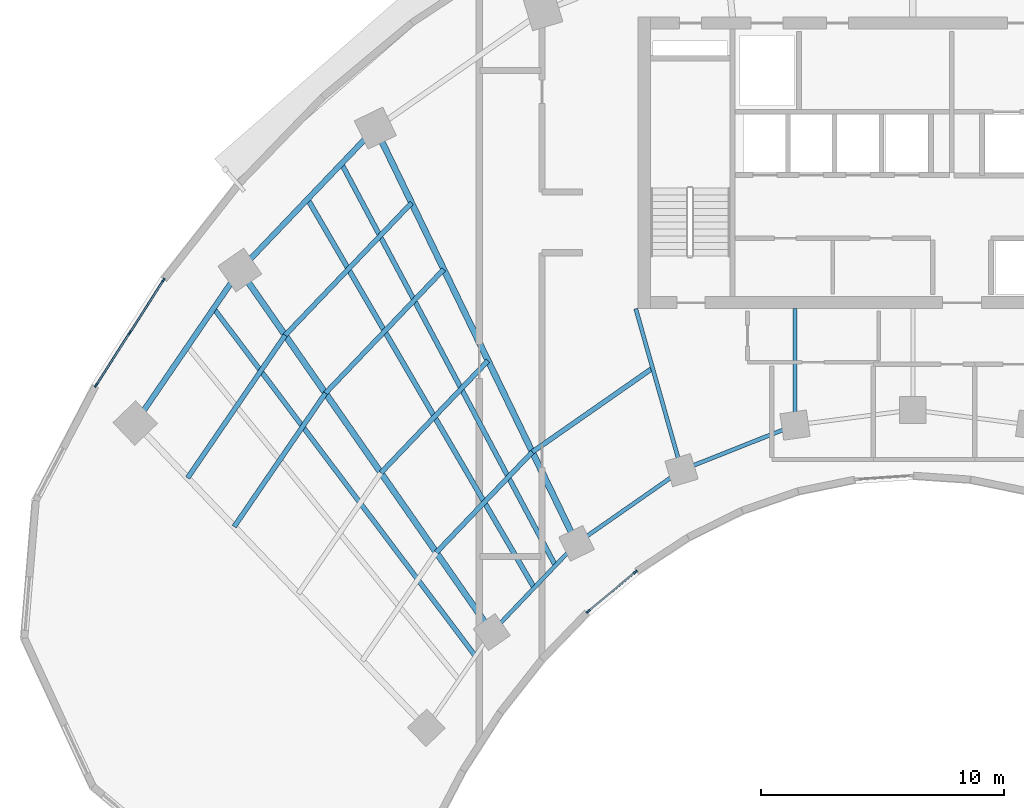
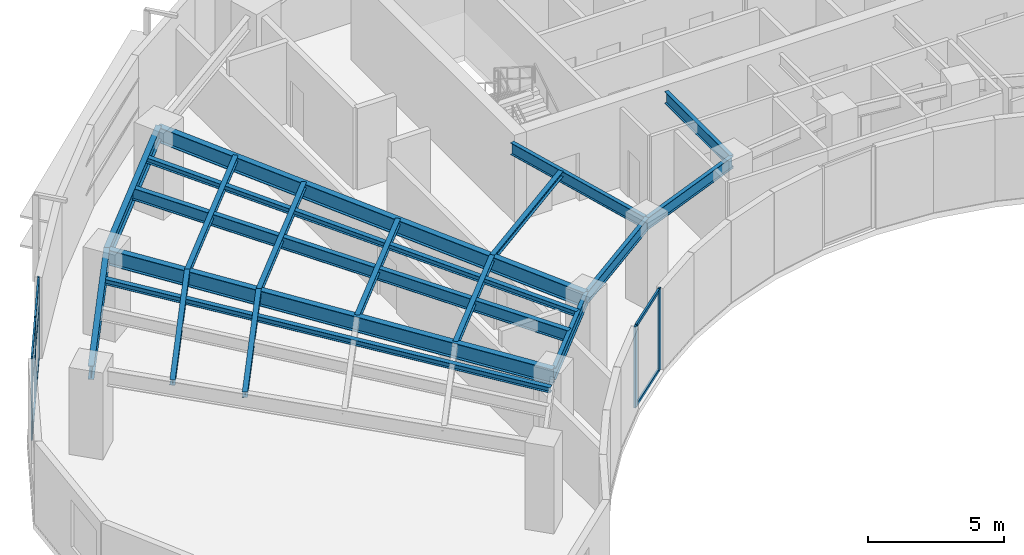
# One storey, part 2 of 14: 19 beams, 13 members, 2 elements without a shape of their own.
"""IFC4 building model written with IfcOpenShell, lengths in metres."""

from ifc_helpers import new_model, si_unit, direction, frame, origin, origin_2d, place, context, subcontext, project, spatial, rectangle, i_section, extrude, source, transform, mapped, material, layer, layer_set, material_profile, profile_set, type_object, type_shapes, element, aggregate, save


model = new_model("IFC4")

# Units and contexts
model_context = context("Model", 3, precision=1e-05, world=origin(), true_north=direction((0.0, 1.0)))
body_context = subcontext(model_context, "Body", "Model", "MODEL_VIEW")
ifc_project = project(units=[si_unit("LENGTHUNIT", "METRE"), si_unit("AREAUNIT", "SQUARE_METRE"), si_unit("VOLUMEUNIT", "CUBIC_METRE"), si_unit("PLANEANGLEUNIT", "RADIAN"), si_unit("MASSUNIT", "GRAM", prefix="KILO")], contexts=[model_context])

# Site, building, storey
site_placement = place(None, origin())
site = spatial("IfcSite", under=ifc_project, at=site_placement, CompositionType="ELEMENT")
building_placement = place(site_placement, origin())
building = spatial("IfcBuilding", under=site, at=building_placement, Name="Breltana Convention Tower", CompositionType="ELEMENT")
storey_placement = place(building_placement, frame((0.0, 0.0, 119.39990234375)))
storey = spatial("IfcBuildingStorey", under=building, at=storey_placement, Name="L28", CompositionType="ELEMENT", Elevation=119.39990234375)

# Beams
ifc_material_1 = material(Name="Steel ASTM A992 Grade 50", Category="steel")
ifc_material_profile_1 = material_profile(ifc_material_1, i_section(OverallWidth=0.25390625, OverallDepth=0.68798828125, WebThickness=0.01318359375, FlangeThickness=0.02099609375, at=origin_2d()), Name="W27X102")
ifc_profile_set_1 = profile_set([ifc_material_profile_1], Name="Steel ASTM A992 Grade 50")
beam_type_1 = type_object("IfcBeamType", Name="BM-RG-W27X102", PredefinedType="USERDEFINED", material=ifc_profile_set_1)
shared_shape_1 = source(origin(), body_context, "Body", "SweptSolid", [
    extrude(i_section(OverallWidth=0.25390625, OverallDepth=0.68798828125, WebThickness=0.01318359375, FlangeThickness=0.02099609375, at=origin_2d()), origin(), (0.0, 0.0, 1.0), 18.1484375),
])
beam_1_placement = place(storey_placement, frame((30.67724609375, 46.892333984375, 3.30615234375), z_axis=(-0.571207556098, 0.820805657788, 0.0), x_axis=(-0.820805657788, -0.571207556098, 0.0)))
element("IfcBeam", 1, at=beam_1_placement, inside=storey, type_object=beam_type_1, Name="L28 Radial Floor Girder R02", ObjectType="GIRDER", PredefinedType="USERDEFINED", context=body_context, shape_type="MappedRepresentation", body=[
    mapped(shared_shape_1, transform((0.0, 0.0, 0.0), scale=1.0)),
])
shared_shape_2 = source(origin(), body_context, "Body", "SweptSolid", [
    extrude(i_section(OverallWidth=0.25390625, OverallDepth=0.68798828125, WebThickness=0.01318359375, FlangeThickness=0.02099609375, at=origin_2d()), origin(), (0.0, 0.0, 1.0), 18.982421875),
])
beam_2_placement = place(storey_placement, frame((34.166259765625, 50.544921875, 3.30615234375), z_axis=(-0.436118560343, 0.89988921614, 0.0), x_axis=(-0.89988921614, -0.436118560343, 0.0)))
element("IfcBeam", 2, at=beam_2_placement, inside=storey, type_object=beam_type_1, Name="L28 Radial Floor Girder R03", ObjectType="GIRDER", PredefinedType="USERDEFINED", context=body_context, shape_type="MappedRepresentation", body=[
    mapped(shared_shape_2, transform((0.0, 0.0, 0.0), scale=1.0)),
])
ifc_material_profile_2 = material_profile(ifc_material_1, i_section(OverallWidth=0.166015625, OverallDepth=0.534912109375, WebThickness=0.01025390625, FlangeThickness=0.0166015625, at=origin_2d()), Name="W21X57")
ifc_profile_set_2 = profile_set([ifc_material_profile_2], Name="Steel ASTM A992 Grade 50")
beam_type_2 = type_object("IfcBeamType", Name="BM-BM-W21X57", PredefinedType="BEAM", material=ifc_profile_set_2)
shared_shape_3 = source(origin(), body_context, "Body", "SweptSolid", [
    extrude(i_section(OverallWidth=0.166015625, OverallDepth=0.534912109375, WebThickness=0.01025390625, FlangeThickness=0.0166015625, at=origin_2d()), origin(), (0.0, 0.0, 1.0), 6.904541015625),
])
type_shapes(beam_type_2, [shared_shape_3])
beam_3_placement = place(storey_placement, frame((36.60009765625, 60.199951171875, 3.382568359375), z_axis=(0.273006781054, -0.962012108811, 0.0), x_axis=(0.962012108811, 0.273006781054, 0.0)))
element("IfcBeam", 3, at=beam_3_placement, inside=storey, type_object=beam_type_2, Name="L28 South Core Tie Girder R04", PredefinedType="BEAM", context=body_context, shape_type="MappedRepresentation", body=[
    mapped(shared_shape_3, transform((0.0, 0.0, 0.0), scale=1.0)),
])
shared_shape_4 = source(origin(), body_context, "Body", "SweptSolid", [
    extrude(i_section(OverallWidth=0.166015625, OverallDepth=0.534912109375, WebThickness=0.01025390625, FlangeThickness=0.0166015625, at=origin_2d()), origin(), (0.0, 0.0, 1.0), 4.789306640625),
])
beam_4_placement = place(storey_placement, frame((43.153564453125, 60.199951171875, 3.382568359375), z_axis=(0.0, -1.0, 0.0), x_axis=(1.0, 0.0, 0.0)))
element("IfcBeam", 4, at=beam_4_placement, inside=storey, type_object=beam_type_2, Name="L28 South Core Tie Girder R05", PredefinedType="BEAM", context=body_context, shape_type="MappedRepresentation", body=[
    mapped(shared_shape_4, transform((0.0, 0.0, 0.0), scale=1.0)),
])
ifc_material_profile_3 = material_profile(ifc_material_1, i_section(OverallWidth=0.22802734375, OverallDepth=0.60791015625, WebThickness=0.01123046875, FlangeThickness=0.017333984375, at=origin_2d()), Name="W24X76")
ifc_profile_set_3 = profile_set([ifc_material_profile_3], Name="Steel ASTM A992 Grade 50")
beam_type_3 = type_object("IfcBeamType", Name="BM-SP-W24X76", PredefinedType="SPANDREL", material=ifc_profile_set_3)
shared_shape_5 = source(origin(), body_context, "Body", "SweptSolid", [
    extrude(i_section(OverallWidth=0.22802734375, OverallDepth=0.60791015625, WebThickness=0.01123046875, FlangeThickness=0.017333984375, at=origin_2d()), origin(), (0.0, 0.0, 1.0), 7.625),
])
type_shapes(beam_type_3, [shared_shape_5])
beam_5_placement = place(storey_placement, frame((16.0068359375, 55.494384765625, 3.34619140625), z_axis=(0.564452031902, 0.825465870694, 0.0), x_axis=(-0.825465870694, 0.564452031902, 0.0)))
element("IfcBeam", 5, at=beam_5_placement, inside=storey, type_object=beam_type_3, Name="L28 Outer Spandrel Beam 01", PredefinedType="SPANDREL", context=body_context, shape_type="MappedRepresentation", body=[
    mapped(shared_shape_5, transform((0.0, 0.0, 0.0), scale=1.0)),
])
shared_shape_6 = source(origin(), body_context, "Body", "SweptSolid", [
    extrude(i_section(OverallWidth=0.166015625, OverallDepth=0.534912109375, WebThickness=0.01025390625, FlangeThickness=0.0166015625, at=origin_2d()), origin(), (0.0, 0.0, 1.0), 5.05126953125),
])
beam_6_placement = place(storey_placement, frame((30.67724609375, 46.892333984375, 3.382568359375), z_axis=(0.690729753845, 0.7231129975, 0.0), x_axis=(-0.7231129975, 0.690729753845, 0.0)))
element("IfcBeam", 6, at=beam_6_placement, inside=storey, type_object=beam_type_2, Name="L28 Inner Ring Beam 02", PredefinedType="BEAM", context=body_context, shape_type="MappedRepresentation", body=[
    mapped(shared_shape_6, transform((0.0, 0.0, 0.0), scale=1.0)),
])
shared_shape_7 = source(origin(), body_context, "Body", "SweptSolid", [
    extrude(i_section(OverallWidth=0.22802734375, OverallDepth=0.60791015625, WebThickness=0.01123046875, FlangeThickness=0.017333984375, at=origin_2d()), origin(), (0.0, 0.0, 1.0), 8.073974609375),
])
beam_7_placement = place(storey_placement, frame((20.310791015625, 61.78857421875, 3.34619140625), z_axis=(0.69072885448, 0.723113856588, 0.0), x_axis=(-0.723113856588, 0.69072885448, 0.0)))
element("IfcBeam", 7, at=beam_7_placement, inside=storey, type_object=beam_type_3, Name="L28 Outer Spandrel Beam 02", PredefinedType="SPANDREL", context=body_context, shape_type="MappedRepresentation", body=[
    mapped(shared_shape_7, transform((0.0, 0.0, 0.0), scale=1.0)),
])
shared_shape_8 = source(origin(), body_context, "Body", "SweptSolid", [
    extrude(i_section(OverallWidth=0.166015625, OverallDepth=0.534912109375, WebThickness=0.01025390625, FlangeThickness=0.0166015625, at=origin_2d()), origin(), (0.0, 0.0, 1.0), 5.265869140625),
])
beam_8_placement = place(storey_placement, frame((34.166259765625, 50.544921875, 3.382568359375), z_axis=(0.820167429517, 0.572123577176, 0.0), x_axis=(-0.572123577176, 0.820167429517, 0.0)))
element("IfcBeam", 8, at=beam_8_placement, inside=storey, type_object=beam_type_2, Name="L28 Inner Ring Beam 03", PredefinedType="BEAM", context=body_context, shape_type="MappedRepresentation", body=[
    mapped(shared_shape_8, transform((0.0, 0.0, 0.0), scale=1.0)),
])
shared_shape_9 = source(origin(), body_context, "Body", "SweptSolid", [
    extrude(i_section(OverallWidth=0.166015625, OverallDepth=0.534912109375, WebThickness=0.01025390625, FlangeThickness=0.0166015625, at=origin_2d()), origin(), (0.0, 0.0, 1.0), 5.022705078125),
])
beam_9_placement = place(storey_placement, frame((38.485107421875, 53.5576171875, 3.382568359375), z_axis=(0.929458966248, 0.368925507469, 0.0), x_axis=(-0.368925507469, 0.929458966248, 0.0)))
element("IfcBeam", 9, at=beam_9_placement, inside=storey, type_object=beam_type_2, Name="L28 Inner Ring Beam 04", PredefinedType="BEAM", context=body_context, shape_type="MappedRepresentation", body=[
    mapped(shared_shape_9, transform((0.0, 0.0, 0.0), scale=1.0)),
])
ifc_material_profile_4 = material_profile(ifc_material_1, i_section(OverallWidth=0.201904296875, OverallDepth=0.2470703125, WebThickness=0.00732421875, FlangeThickness=0.010986328125, at=origin_2d()), Name="W10X33")
ifc_profile_set_4 = profile_set([ifc_material_profile_4], Name="Steel ASTM A992 Grade 50")
beam_type_4 = type_object("IfcBeamType", Name="BM-JSG-11", PredefinedType="JOIST", material=ifc_profile_set_4)
shared_shape_10 = source(origin(), body_context, "Body", "SweptSolid", [
    extrude(i_section(OverallWidth=0.201904296875, OverallDepth=0.2470703125, WebThickness=0.00732421875, FlangeThickness=0.010986328125, at=origin_2d()), origin(), (0.0, 0.0, 1.0), 6.654541015625),
])
beam_10_placement = place(storey_placement, frame((20.0791015625, 51.23095703125, 3.526611328125), z_axis=(0.564482668195, 0.82544492082, 0.0), x_axis=(-0.82544492082, 0.564482668195, 0.0)))
element("IfcBeam", 10, at=beam_10_placement, inside=storey, type_object=beam_type_4, Name="L28 Composite Floor Joist 01.3", PredefinedType="JOIST", context=body_context, shape_type="MappedRepresentation", body=[
    mapped(shared_shape_10, transform((0.0, 0.0, 0.0), scale=1.0)),
])
shared_shape_11 = source(origin(), body_context, "Body", "SweptSolid", [
    extrude(i_section(OverallWidth=0.201904296875, OverallDepth=0.2470703125, WebThickness=0.00732421875, FlangeThickness=0.010986328125, at=origin_2d()), origin(), (0.0, 0.0, 1.0), 7.111328125),
])
beam_11_placement = place(storey_placement, frame((18.162841796875, 53.2373046875, 3.526611328125), z_axis=(0.564446356178, 0.825469751715, 0.0), x_axis=(-0.825469751715, 0.564446356178, 0.0)))
element("IfcBeam", 11, at=beam_11_placement, inside=storey, type_object=beam_type_4, Name="L28 Composite Floor Joist 01.4", PredefinedType="JOIST", context=body_context, shape_type="MappedRepresentation", body=[
    mapped(shared_shape_11, transform((0.0, 0.0, 0.0), scale=1.0)),
])
shared_shape_12 = source(origin(), body_context, "Body", "SweptSolid", [
    extrude(i_section(OverallWidth=0.201904296875, OverallDepth=0.2470703125, WebThickness=0.00732421875, FlangeThickness=0.010986328125, at=origin_2d()), origin(), (0.0, 0.0, 1.0), 17.9072265625),
])
beam_12_placement = place(storey_placement, frame((30.00390625, 45.907958984375, 3.526611328125), z_axis=(-0.601382105028, 0.798961553363, 0.0), x_axis=(-0.798961553363, -0.601382105028, 0.0)))
element("IfcBeam", 12, at=beam_12_placement, inside=storey, type_object=beam_type_4, Name="L28 Quarter-Bay Radial Trimmer 01", PredefinedType="JOIST", context=body_context, shape_type="MappedRepresentation", body=[
    mapped(shared_shape_12, transform((0.0, 0.0, 0.0), scale=1.0)),
])
shared_shape_13 = source(origin(), body_context, "Body", "SweptSolid", [
    extrude(i_section(OverallWidth=0.201904296875, OverallDepth=0.2470703125, WebThickness=0.00732421875, FlangeThickness=0.010986328125, at=origin_2d()), origin(), (0.0, 0.0, 1.0), 5.716064453125),
])
beam_13_placement = place(storey_placement, frame((28.396484375, 50.169677734375, 3.526611328125), z_axis=(0.690756060045, 0.723087868458, 0.0), x_axis=(-0.723087868458, 0.690756060045, 0.0)))
element("IfcBeam", 13, at=beam_13_placement, inside=storey, type_object=beam_type_4, Name="L28 Composite Floor Joist 02.1", PredefinedType="JOIST", context=body_context, shape_type="MappedRepresentation", body=[
    mapped(shared_shape_13, transform((0.0, 0.0, 0.0), scale=1.0)),
])
shared_shape_14 = source(origin(), body_context, "Body", "SweptSolid", [
    extrude(i_section(OverallWidth=0.201904296875, OverallDepth=0.2470703125, WebThickness=0.00732421875, FlangeThickness=0.010986328125, at=origin_2d()), origin(), (0.0, 0.0, 1.0), 6.381103515625),
])
beam_14_placement = place(storey_placement, frame((26.115966796875, 53.44677734375, 3.526611328125), z_axis=(0.690737768889, 0.723105341309, 0.0), x_axis=(-0.723105341309, 0.690737768889, 0.0)))
element("IfcBeam", 14, at=beam_14_placement, inside=storey, type_object=beam_type_4, Name="L28 Composite Floor Joist 02.2", PredefinedType="JOIST", context=body_context, shape_type="MappedRepresentation", body=[
    mapped(shared_shape_14, transform((0.0, 0.0, 0.0), scale=1.0)),
])
shared_shape_15 = source(origin(), body_context, "Body", "SweptSolid", [
    extrude(i_section(OverallWidth=0.201904296875, OverallDepth=0.2470703125, WebThickness=0.00732421875, FlangeThickness=0.010986328125, at=origin_2d()), origin(), (0.0, 0.0, 1.0), 7.046142578125),
])
beam_15_placement = place(storey_placement, frame((23.83544921875, 56.723876953125, 3.526611328125), z_axis=(0.690722929904, 0.723119515782, 0.0), x_axis=(-0.723119515782, 0.690722929904, 0.0)))
element("IfcBeam", 15, at=beam_15_placement, inside=storey, type_object=beam_type_4, Name="L28 Composite Floor Joist 02.3", PredefinedType="JOIST", context=body_context, shape_type="MappedRepresentation", body=[
    mapped(shared_shape_15, transform((0.0, 0.0, 0.0), scale=1.0)),
])
shared_shape_16 = source(origin(), body_context, "Body", "SweptSolid", [
    extrude(i_section(OverallWidth=0.201904296875, OverallDepth=0.2470703125, WebThickness=0.00732421875, FlangeThickness=0.010986328125, at=origin_2d()), origin(), (0.0, 0.0, 1.0), 7.529541015625),
])
beam_16_placement = place(storey_placement, frame((22.1767578125, 59.107421875, 3.526611328125), z_axis=(0.690725562031, 0.723117001568, 0.0), x_axis=(-0.723117001568, 0.690725562031, 0.0)))
element("IfcBeam", 16, at=beam_16_placement, inside=storey, type_object=beam_type_4, Name="L28 Composite Floor Joist 02.4", PredefinedType="JOIST", context=body_context, shape_type="MappedRepresentation", body=[
    mapped(shared_shape_16, transform((0.0, 0.0, 0.0), scale=1.0)),
])
ifc_material_profile_5 = material_profile(ifc_material_1, i_section(OverallWidth=0.2099609375, OverallDepth=0.537109375, WebThickness=0.010986328125, FlangeThickness=0.017333984375, at=origin_2d()), Name="W21X68")
ifc_profile_set_5 = profile_set([ifc_material_profile_5], Name="Steel ASTM A992 Grade 50")
beam_type_5 = type_object("IfcBeamType", Name="BM-JSG-04", PredefinedType="JOIST", material=ifc_profile_set_5)
shared_shape_17 = source(origin(), body_context, "Body", "SweptSolid", [
    extrude(i_section(OverallWidth=0.2099609375, OverallDepth=0.537109375, WebThickness=0.010986328125, FlangeThickness=0.017333984375, at=origin_2d()), origin(), (0.0, 0.0, 1.0), 18.50830078125),
])
beam_17_placement = place(storey_placement, frame((32.421630859375, 48.71875, 3.381591796875), z_axis=(-0.50368319637, 0.863888440537, 0.0), x_axis=(-0.863888440537, -0.50368319637, 0.0)))
element("IfcBeam", 17, at=beam_17_placement, inside=storey, type_object=beam_type_5, Name="L28 Mid-Bay Radial Trimmer 02", PredefinedType="JOIST", context=body_context, shape_type="MappedRepresentation", body=[
    mapped(shared_shape_17, transform((0.0, 0.0, 0.0), scale=1.0)),
])
shared_shape_18 = source(origin(), body_context, "Body", "SweptSolid", [
    extrude(i_section(OverallWidth=0.201904296875, OverallDepth=0.2470703125, WebThickness=0.00732421875, FlangeThickness=0.010986328125, at=origin_2d()), origin(), (0.0, 0.0, 1.0), 18.731689453125),
])
beam_18_placement = place(storey_placement, frame((33.2939453125, 49.6318359375, 3.526611328125), z_axis=(-0.469820250451, 0.882762104004, 0.0), x_axis=(-0.882762104004, -0.469820250451, 0.0)))
element("IfcBeam", 18, at=beam_18_placement, inside=storey, type_object=beam_type_4, Name="L28 Quarter-Bay Radial Trimmer 02", PredefinedType="JOIST", context=body_context, shape_type="MappedRepresentation", body=[
    mapped(shared_shape_18, transform((0.0, 0.0, 0.0), scale=1.0)),
])
shared_shape_19 = source(origin(), body_context, "Body", "SweptSolid", [
    extrude(i_section(OverallWidth=0.201904296875, OverallDepth=0.2470703125, WebThickness=0.00732421875, FlangeThickness=0.010986328125, at=origin_2d()), origin(), (0.0, 0.0, 1.0), 5.959228515625),
])
beam_19_placement = place(storey_placement, frame((32.344970703125, 54.302978515625, 3.526611328125), z_axis=(0.820160485262, 0.572133531979, 0.0), x_axis=(-0.572133531979, 0.820160485262, 0.0)))
element("IfcBeam", 19, at=beam_19_placement, inside=storey, type_object=beam_type_4, Name="L28 Composite Floor Joist 03.1", PredefinedType="JOIST", context=body_context, shape_type="MappedRepresentation", body=[
    mapped(shared_shape_19, transform((0.0, 0.0, 0.0), scale=1.0)),
])

# Curtain wall, members
ifc_material_2 = material(Name="Aluminium Anodised Bronze Frame", Category="aluminium")
ifc_layer_1 = layer(ifc_material_2, 0.18994140625, Name="Aluminium Anodised Bronze Frame")
ifc_layer_set_1 = layer_set([ifc_layer_1], Name="Aluminium Anodised Bronze Frame")
curtain_wall_type_1 = type_object("IfcCurtainWallType", Name="CW-SYS-1", PredefinedType="NOTDEFINED", material=ifc_layer_set_1)
curtain_wall_1_placement = place(storey_placement, origin())
curtain_wall_1 = element("IfcCurtainWall", 20, at=curtain_wall_1_placement, inside=storey, type_object=curtain_wall_type_1, Name="L28 inner south-court glazing 5", PredefinedType="NOTDEFINED")
ifc_material_3 = material(Name="Aluminium Anodised Bronze", Category="aluminium")
ifc_material_profile_6 = material_profile(ifc_material_3, rectangle(XDim=0.080078125, YDim=0.139892578125, at=origin_2d()), Name="CWT-80X140")
ifc_profile_set_6 = profile_set([ifc_material_profile_6], Name="Aluminium Anodised Bronze")
member_type_1 = type_object("IfcMemberType", Name="CWT-140", PredefinedType="USERDEFINED", material=ifc_profile_set_6)
shared_shape_20 = source(origin(), body_context, "Body", "SweptSolid", [
    extrude(rectangle(XDim=0.080078125, YDim=0.139892578125, at=origin_2d()), origin(), (0.0, 0.0, 1.0), 2.44091796875),
])
member_1_placement = place(storey_placement, frame((36.551513671875, 49.335693359375, 0.0400390625), z_axis=(-0.767991664717, -0.64045983709, 0.0), x_axis=(0.64045983709, -0.767991664717, 0.0)))
member_1 = element("IfcMember", 21, at=member_1_placement, type_object=member_type_1, Name="CW-01 transom 1.1", ObjectType="TRANSOM", PredefinedType="USERDEFINED", context=body_context, shape_type="MappedRepresentation", body=[
    mapped(shared_shape_20, transform((0.0, 0.0, 0.0), scale=1.0)),
])
member_2_placement = place(storey_placement, frame((36.551513671875, 49.335693359375, 3.610107421875), z_axis=(-0.767991664717, -0.64045983709, 0.0), x_axis=(0.64045983709, -0.767991664717, 0.0)))
member_2 = element("IfcMember", 22, at=member_2_placement, type_object=member_type_1, Name="CW-01 transom 1.2", ObjectType="TRANSOM", PredefinedType="USERDEFINED", context=body_context, shape_type="MappedRepresentation", body=[
    mapped(shared_shape_20, transform((0.0, 0.0, 0.0), scale=1.0)),
])

ifc_layer_2 = layer(ifc_material_2, 0.22998046875, Name="Aluminium Anodised Bronze Frame")
ifc_layer_set_2 = layer_set([ifc_layer_2], Name="Aluminium Anodised Bronze Frame")
curtain_wall_type_2 = type_object("IfcCurtainWallType", Name="CW-SYS-5", PredefinedType="NOTDEFINED", material=ifc_layer_set_2)
curtain_wall_2_placement = place(storey_placement, origin())
curtain_wall_2 = element("IfcCurtainWall", 23, at=curtain_wall_2_placement, inside=storey, type_object=curtain_wall_type_2, Name="L28 outer double-skin inner glazing 1", PredefinedType="NOTDEFINED")
ifc_material_profile_7 = material_profile(ifc_material_3, rectangle(XDim=0.070068359375, YDim=0.1201171875, at=origin_2d()), Name="CWT-70X120")
ifc_profile_set_7 = profile_set([ifc_material_profile_7], Name="Aluminium Anodised Bronze")
member_type_2 = type_object("IfcMemberType", Name="CWT-120", PredefinedType="USERDEFINED", material=ifc_profile_set_7)
shared_shape_21 = source(origin(), body_context, "Body", "SweptSolid", [
    extrude(rectangle(XDim=0.070068359375, YDim=0.1201171875, at=origin_2d()), origin(), (0.0, 0.0, 1.0), 2.49755859375),
])
member_3_placement = place(storey_placement, frame((14.41455078125, 57.078857421875, 0.03515625), z_axis=(0.540179419124, 0.841549876808, 0.0), x_axis=(-0.841549876808, 0.540179419124, 0.0)))
member_3 = element("IfcMember", 24, at=member_3_placement, type_object=member_type_2, Name="CW-05 transom 1.1", ObjectType="TRANSOM", PredefinedType="USERDEFINED", context=body_context, shape_type="MappedRepresentation", body=[
    mapped(shared_shape_21, transform((0.0, 0.0, 0.0), scale=1.0)),
])
member_4_placement = place(storey_placement, frame((14.41455078125, 57.078857421875, 2.37255859375), z_axis=(0.540179419124, 0.841549876808, 0.0), x_axis=(-0.841549876808, 0.540179419124, 0.0)))
member_4 = element("IfcMember", 25, at=member_4_placement, type_object=member_type_2, Name="CW-05 transom 1.2", ObjectType="TRANSOM", PredefinedType="USERDEFINED", context=body_context, shape_type="MappedRepresentation", body=[
    mapped(shared_shape_21, transform((0.0, 0.0, 0.0), scale=1.0)),
])
member_5_placement = place(storey_placement, frame((14.41455078125, 57.078857421875, 3.614990234375), z_axis=(0.540179419124, 0.841549876808, 0.0), x_axis=(-0.841549876808, 0.540179419124, 0.0)))
member_5 = element("IfcMember", 26, at=member_5_placement, type_object=member_type_2, Name="CW-05 transom 1.3", ObjectType="TRANSOM", PredefinedType="USERDEFINED", context=body_context, shape_type="MappedRepresentation", body=[
    mapped(shared_shape_21, transform((0.0, 0.0, 0.0), scale=1.0)),
])
member_6_placement = place(storey_placement, frame((15.801513671875, 59.23974609375, 0.03515625), z_axis=(0.540179419124, 0.841549876808, 0.0), x_axis=(-0.841549876808, 0.540179419124, 0.0)))
member_6 = element("IfcMember", 27, at=member_6_placement, type_object=member_type_2, Name="CW-05 transom 2.1", ObjectType="TRANSOM", PredefinedType="USERDEFINED", context=body_context, shape_type="MappedRepresentation", body=[
    mapped(shared_shape_21, transform((0.0, 0.0, 0.0), scale=1.0)),
])
member_7_placement = place(storey_placement, frame((15.801513671875, 59.23974609375, 2.37255859375), z_axis=(0.540179419124, 0.841549876808, 0.0), x_axis=(-0.841549876808, 0.540179419124, 0.0)))
member_7 = element("IfcMember", 28, at=member_7_placement, type_object=member_type_2, Name="CW-05 transom 2.2", ObjectType="TRANSOM", PredefinedType="USERDEFINED", context=body_context, shape_type="MappedRepresentation", body=[
    mapped(shared_shape_21, transform((0.0, 0.0, 0.0), scale=1.0)),
])
member_8_placement = place(storey_placement, frame((15.801513671875, 59.23974609375, 3.614990234375), z_axis=(0.540179419124, 0.841549876808, 0.0), x_axis=(-0.841549876808, 0.540179419124, 0.0)))
member_8 = element("IfcMember", 29, at=member_8_placement, type_object=member_type_2, Name="CW-05 transom 2.3", ObjectType="TRANSOM", PredefinedType="USERDEFINED", context=body_context, shape_type="MappedRepresentation", body=[
    mapped(shared_shape_21, transform((0.0, 0.0, 0.0), scale=1.0)),
])

# Member
ifc_material_profile_8 = material_profile(ifc_material_3, rectangle(XDim=0.080078125, YDim=0.199951171875, at=origin_2d()), Name="CWM-80X200")
ifc_profile_set_8 = profile_set([ifc_material_profile_8], Name="Aluminium Anodised Bronze")
member_type_3 = type_object("IfcMemberType", Name="CWM-200", PredefinedType="MULLION", material=ifc_profile_set_8)
shared_shape_22 = source(origin(), body_context, "Body", "SweptSolid", [
    extrude(rectangle(XDim=0.080078125, YDim=0.199951171875, at=origin_2d()), origin(), (0.0, 0.0, 1.0), 3.650146484375),
])
member_9_placement = place(storey_placement, frame((36.582275390625, 49.361328125, 0.0), z_axis=(0.0, 0.0, 1.0), x_axis=(0.640520924036, -0.76794071768, 0.0)))
member_9 = element("IfcMember", 30, at=member_9_placement, type_object=member_type_3, Name="CW-01 mullion 1", PredefinedType="MULLION", context=body_context, shape_type="MappedRepresentation", body=[
    mapped(shared_shape_22, transform((0.0, 0.0, 0.0), scale=1.0)),
])

member_10_placement = place(storey_placement, frame((34.646240234375, 47.746826171875, 0.0), z_axis=(0.0, 0.0, 1.0), x_axis=(0.640520924036, -0.76794071768, 0.0)))
member_10 = element("IfcMember", 31, at=member_10_placement, type_object=member_type_3, Name="CW-01 mullion 2", PredefinedType="MULLION", context=body_context, shape_type="MappedRepresentation", body=[
    mapped(shared_shape_22, transform((0.0, 0.0, 0.0), scale=1.0)),
])

aggregate(curtain_wall_1, [member_9, member_10, member_1, member_2])

ifc_material_profile_9 = material_profile(ifc_material_3, rectangle(XDim=0.070068359375, YDim=0.175048828125, at=origin_2d()), Name="CWM-70X175")
ifc_profile_set_9 = profile_set([ifc_material_profile_9], Name="Aluminium Anodised Bronze")
member_type_4 = type_object("IfcMemberType", Name="CWM-175", PredefinedType="MULLION", material=ifc_profile_set_9)
shared_shape_23 = source(origin(), body_context, "Body", "SweptSolid", [
    extrude(rectangle(XDim=0.070068359375, YDim=0.175048828125, at=origin_2d()), origin(), (0.0, 0.0, 1.0), 3.650146484375),
])
member_11_placement = place(storey_placement, frame((14.395751953125, 57.049560546875, 0.0), z_axis=(0.0, 0.0, 1.0), x_axis=(-0.84155155167, 0.540176809834, 0.0)))
member_11 = element("IfcMember", 32, at=member_11_placement, type_object=member_type_4, Name="CW-05 mullion 1", PredefinedType="MULLION", context=body_context, shape_type="MappedRepresentation", body=[
    mapped(shared_shape_23, transform((0.0, 0.0, 0.0), scale=1.0)),
])

member_12_placement = place(storey_placement, frame((15.78271484375, 59.210205078125, 0.0), z_axis=(0.0, 0.0, 1.0), x_axis=(-0.84155155167, 0.540176809834, 0.0)))
member_12 = element("IfcMember", 33, at=member_12_placement, type_object=member_type_4, Name="CW-05 mullion 2", PredefinedType="MULLION", context=body_context, shape_type="MappedRepresentation", body=[
    mapped(shared_shape_23, transform((0.0, 0.0, 0.0), scale=1.0)),
])

member_13_placement = place(storey_placement, frame((17.169677734375, 61.370849609375, 0.0), z_axis=(0.0, 0.0, 1.0), x_axis=(-0.84155155167, 0.540176809834, 0.0)))
member_13 = element("IfcMember", 34, at=member_13_placement, type_object=member_type_4, Name="CW-05 mullion 3", PredefinedType="MULLION", context=body_context, shape_type="MappedRepresentation", body=[
    mapped(shared_shape_23, transform((0.0, 0.0, 0.0), scale=1.0)),
])

aggregate(curtain_wall_2, [member_11, member_12, member_13, member_3, member_4, member_5, member_6, member_7, member_8])

save(model, "model.ifc")
